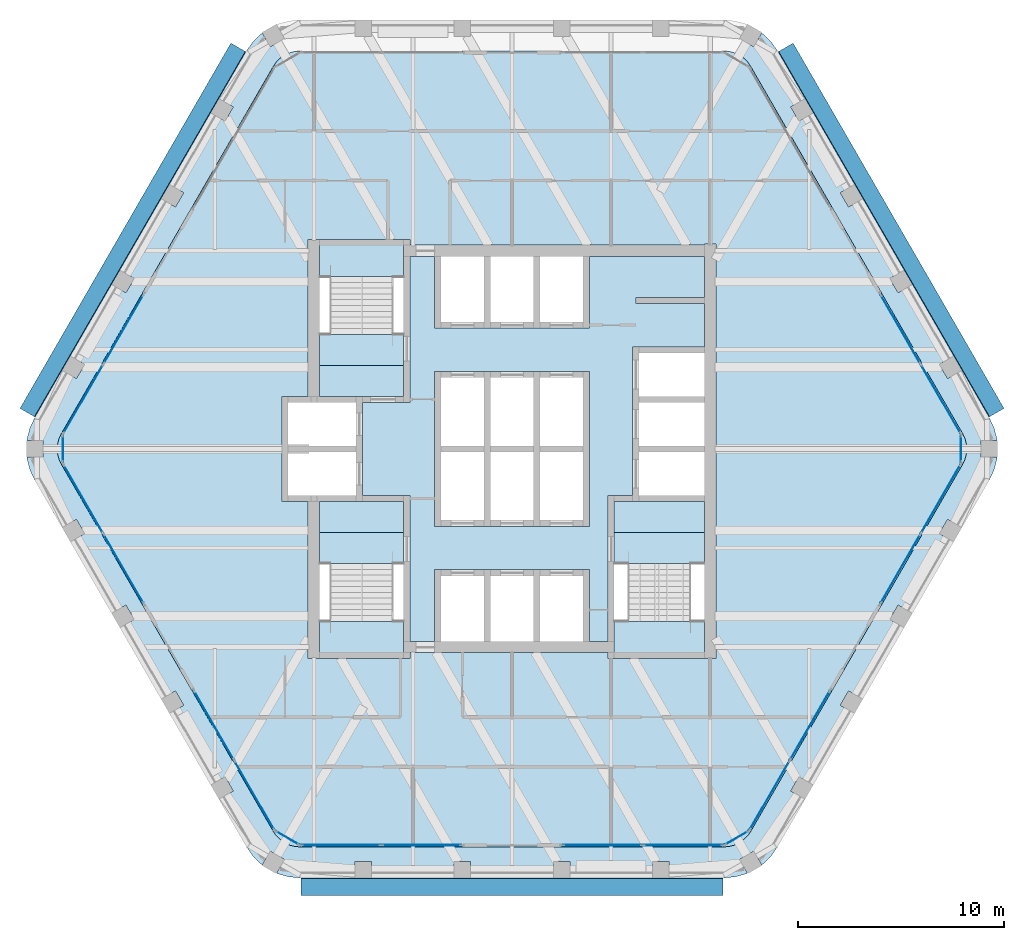
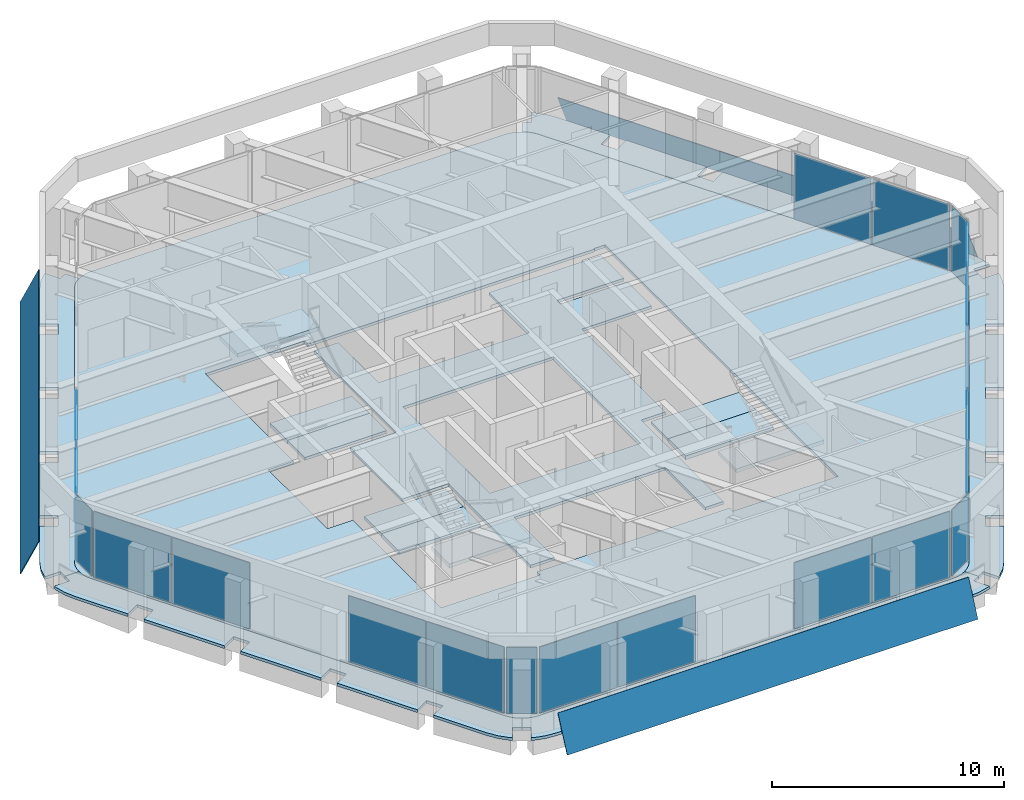
# One storey, part 6 of 14: 23 plates, 16 slabs, 15 elements without a shape of their own.
"""IFC4 building model written with IfcOpenShell, lengths in metres."""

from ifc_helpers import new_model, si_unit, direction, frame, origin, origin_2d, place, context, subcontext, project, spatial, polyline, rectangle, outline, extrude, material, layer, layer_set, type_object, element, aggregate, save


model = new_model("IFC4")

# Units and contexts
model_context = context("Model", 3, precision=1e-05, world=origin(), true_north=direction((0.0, 1.0)))
body_context = subcontext(model_context, "Body", "Model", "MODEL_VIEW")
ifc_project = project(units=[si_unit("LENGTHUNIT", "METRE"), si_unit("AREAUNIT", "SQUARE_METRE"), si_unit("VOLUMEUNIT", "CUBIC_METRE"), si_unit("PLANEANGLEUNIT", "RADIAN"), si_unit("MASSUNIT", "GRAM", prefix="KILO")], contexts=[model_context])

# Site, building, storey
site_placement = place(None, origin())
site = spatial("IfcSite", under=ifc_project, at=site_placement, CompositionType="ELEMENT")
building_placement = place(site_placement, origin())
building = spatial("IfcBuilding", under=site, at=building_placement, Name="Kolab Exchange Tower", CompositionType="ELEMENT")
storey_placement = place(building_placement, frame((0.0, 0.0, 293.0)))
storey = spatial("IfcBuildingStorey", under=building, at=storey_placement, Name="L66", CompositionType="ELEMENT", Elevation=293.0)

# Slabs
ifc_material_1 = material(Name="Concrete C35/45", Category="concrete")
ifc_layer_1 = layer(ifc_material_1, 0.14990234375)
ifc_layer_set_1 = layer_set([ifc_layer_1], Name="Concrete C35/45")
slab_type_1 = type_object("IfcSlabType", Name="FLOOR SLAB 150", PredefinedType="FLOOR", material=ifc_layer_set_1)
slab_1_placement = place(storey_placement, frame((0.0, 0.0, -0.14990234375)))
element("IfcSlab", 1, at=slab_1_placement, inside=storey, type_object=slab_type_1, Name="slab/L66/floor/0", PredefinedType="FLOOR", context=body_context, shape_type="SweptSolid", body=[
    extrude(outline(polyline([(11.56689453125, -18.53466796875), (21.8349609375, -0.75), (21.945556640625, -0.512939453125), (22.01318359375, -0.260498046875), (22.035888671875, 0.0), (22.01318359375, 0.260498046875), (21.945556640625, 0.512939453125), (21.8349609375, 0.75), (11.56689453125, 18.53466796875), (11.4169921875, 18.748779296875), (11.232177734375, 18.93359375), (11.01806640625, 19.083740234375), (10.781005859375, 19.194091796875), (10.5283203125, 19.26171875), (10.26806640625, 19.28466796875), (-10.26806640625, 19.28466796875), (-10.5283203125, 19.26171875), (-10.781005859375, 19.194091796875), (-11.01806640625, 19.083740234375), (-11.232177734375, 18.93359375), (-11.4169921875, 18.748779296875), (-11.56689453125, 18.53466796875), (-21.8349609375, 0.75), (-21.945556640625, 0.512939453125), (-22.01318359375, 0.260498046875), (-22.035888671875, 0.0), (-22.01318359375, -0.260498046875), (-21.945556640625, -0.512939453125), (-21.8349609375, -0.75), (-11.56689453125, -18.53466796875), (-11.4169921875, -18.748779296875), (-11.232177734375, -18.93359375), (-11.01806640625, -19.083740234375), (-10.781005859375, -19.194091796875), (-10.5283203125, -19.26171875), (-10.26806640625, -19.28466796875), (10.26806640625, -19.28466796875), (10.5283203125, -19.26171875), (10.781005859375, -19.194091796875), (11.01806640625, -19.083740234375), (11.232177734375, -18.93359375), (11.4169921875, -18.748779296875), (11.56689453125, -18.53466796875)]), holes=[polyline([(-9.324951171875, -10.14990234375), (-9.875, -10.14990234375), (-9.875, -2.550048828125), (-10.85009765625, -2.550048828125), (-11.14990234375, -2.550048828125), (-11.14990234375, 2.550048828125), (-10.85009765625, 2.550048828125), (-9.875, 2.550048828125), (-9.875, 10.14990234375), (-9.324951171875, 10.14990234375), (-5.25, 10.14990234375), (-4.949951171875, 10.14990234375), (-4.949951171875, 9.875), (9.324951171875, 9.875), (9.324951171875, 9.925048828125), (9.875, 9.925048828125), (9.875, -10.14990234375), (9.324951171875, -10.14990234375), (4.949951171875, -10.14990234375), (4.64990234375, -10.14990234375), (4.64990234375, -9.875), (-4.949951171875, -9.875), (-4.949951171875, -10.14990234375), (-5.25, -10.14990234375), (-9.324951171875, -10.14990234375)])]), origin(), (0.0, 0.0, 1.0), 0.14990234375),
])
slab_2_placement = place(storey_placement, frame((0.0, 0.0, -0.14990234375)))
element("IfcSlab", 2, at=slab_2_placement, inside=storey, type_object=slab_type_1, Name="slab/L66/floor/1", PredefinedType="FLOOR", context=body_context, shape_type="SweptSolid", body=[
    extrude(outline(polyline([(-4.949951171875, 9.324951171875), (-4.949951171875, 2.25), (-5.25, 2.25), (-7.25, 2.25), (-7.25, -2.25), (-5.25, -2.25), (-4.949951171875, -2.25), (-4.949951171875, -9.324951171875), (-3.75, -9.324951171875), (-3.75, -5.85009765625), (-3.449951171875, -5.85009765625), (-1.35009765625, -5.85009765625), (-1.050048828125, -5.85009765625), (1.050048828125, -5.85009765625), (1.35009765625, -5.85009765625), (3.449951171875, -5.85009765625), (3.75, -5.85009765625), (3.75, -9.324951171875), (4.64990234375, -9.324951171875), (4.64990234375, -2.25), (4.949951171875, -2.25), (5.85009765625, -2.25), (5.85009765625, 4.949951171875), (6.14990234375, 4.949951171875), (9.324951171875, 4.949951171875), (9.324951171875, 7.050048828125), (6.0, 7.050048828125), (6.0, 7.35009765625), (9.324951171875, 7.35009765625), (9.324951171875, 9.324951171875), (3.75, 9.324951171875), (3.75, 5.85009765625), (3.449951171875, 5.85009765625), (1.35009765625, 5.85009765625), (1.050048828125, 5.85009765625), (-1.050048828125, 5.85009765625), (-1.35009765625, 5.85009765625), (-3.449951171875, 5.85009765625), (-3.75, 5.85009765625), (-3.75, 9.324951171875), (-4.949951171875, 9.324951171875)]), holes=[polyline([(-3.449951171875, -3.75), (-3.75, -3.75), (-3.75, 3.75), (-3.449951171875, 3.75), (-1.35009765625, 3.75), (-1.050048828125, 3.75), (1.050048828125, 3.75), (1.35009765625, 3.75), (3.449951171875, 3.75), (3.75, 3.75), (3.75, -3.75), (3.449951171875, -3.75), (1.35009765625, -3.75), (1.050048828125, -3.75), (-1.050048828125, -3.75), (-1.35009765625, -3.75), (-3.449951171875, -3.75)])]), origin(), (0.0, 0.0, 1.0), 0.14990234375),
])
slab_3_placement = place(storey_placement, frame((0.0, 0.0, -0.14990234375)))
element("IfcSlab", 3, at=slab_3_placement, inside=storey, type_object=slab_type_1, Name="slab/L66/floor/2", PredefinedType="FLOOR", context=body_context, shape_type="SweptSolid", body=[
    extrude(outline(polyline([(4.949951171875, -2.550048828125), (4.949951171875, -4.050048828125), (9.324951171875, -4.050048828125), (9.324951171875, -2.550048828125), (6.14990234375, -2.550048828125), (5.85009765625, -2.550048828125), (4.949951171875, -2.550048828125)])), origin(), (0.0, 0.0, 1.0), 0.14990234375),
])
slab_4_placement = place(storey_placement, frame((0.0, 0.0, -0.14990234375)))
element("IfcSlab", 4, at=slab_4_placement, inside=storey, type_object=slab_type_1, Name="slab/L66/floor/3", PredefinedType="FLOOR", context=body_context, shape_type="SweptSolid", body=[
    extrude(outline(polyline([(-7.550048828125, -2.550048828125), (-9.324951171875, -2.550048828125), (-9.324951171875, -4.050048828125), (-5.25, -4.050048828125), (-5.25, -2.550048828125), (-7.25, -2.550048828125), (-7.550048828125, -2.550048828125)])), origin(), (0.0, 0.0, 1.0), 0.14990234375),
])
slab_5_placement = place(storey_placement, frame((0.0, 0.0, -0.14990234375)))
element("IfcSlab", 5, at=slab_5_placement, inside=storey, type_object=slab_type_1, Name="slab/L66/floor/4", PredefinedType="FLOOR", context=body_context, shape_type="SweptSolid", body=[
    extrude(outline(polyline([(-9.324951171875, 4.050048828125), (-9.324951171875, 2.550048828125), (-7.550048828125, 2.550048828125), (-7.25, 2.550048828125), (-5.25, 2.550048828125), (-5.25, 4.050048828125), (-9.324951171875, 4.050048828125)])), origin(), (0.0, 0.0, 1.0), 0.14990234375),
])
ifc_layer_2 = layer(ifc_material_1, 0.14990234375)
ifc_layer_set_2 = layer_set([ifc_layer_2], Name="Concrete C35/45")
slab_type_2 = type_object("IfcSlabType", Name="LOGGIA SLAB 150", PredefinedType="FLOOR", material=ifc_layer_set_2)
slab_6_placement = place(storey_placement, frame((0.0, 0.0, -0.14990234375)))
element("IfcSlab", 6, at=slab_6_placement, inside=storey, type_object=slab_type_2, Name="slab/L66/loggia/1-0", PredefinedType="FLOOR", context=body_context, shape_type="SweptSolid", body=[
    extrude(outline(polyline([(22.035888671875, 0.0), (22.73583984375, 0.0), (22.73583984375, 0.39990234375), (23.5009765625, 0.39990234375), (23.490234375, 0.52099609375), (23.35498046875, 1.026123046875), (23.134033203125, 1.5), (21.800048828125, 3.810546875), (21.107177734375, 3.410400390625), (20.707275390625, 4.103271484375), (21.39990234375, 4.50341796875), (19.39990234375, 7.967529296875), (18.707275390625, 7.5673828125), (18.30712890625, 8.26025390625), (19.0, 8.66015625), (17.0, 12.124267578125), (16.30712890625, 11.724365234375), (15.9072265625, 12.417236328125), (16.60009765625, 12.817138671875), (14.60009765625, 16.28125), (13.9072265625, 15.88134765625), (13.507080078125, 16.57421875), (14.199951171875, 16.97412109375), (12.865966796875, 19.28466796875), (12.566162109375, 19.712890625), (12.1962890625, 20.082763671875), (12.096923828125, 20.15234375), (11.71435546875, 19.48974609375), (11.367919921875, 19.68994140625), (11.01806640625, 19.083740234375), (11.232177734375, 18.93359375), (11.4169921875, 18.748779296875), (11.56689453125, 18.53466796875), (21.8349609375, 0.75), (21.945556640625, 0.512939453125), (22.01318359375, 0.260498046875), (22.035888671875, 0.0)])), origin(), (0.0, 0.0, 1.0), 0.14990234375),
])
slab_7_placement = place(storey_placement, frame((0.0, 0.0, -0.14990234375)))
element("IfcSlab", 7, at=slab_7_placement, inside=storey, type_object=slab_type_2, Name="slab/L66/loggia/2-0", PredefinedType="FLOOR", context=body_context, shape_type="SweptSolid", body=[
    extrude(outline(polyline([(12.865966796875, -19.28466796875), (14.199951171875, -16.97412109375), (13.507080078125, -16.57421875), (13.9072265625, -15.88134765625), (14.60009765625, -16.28125), (16.60009765625, -12.817138671875), (15.9072265625, -12.417236328125), (16.30712890625, -11.724365234375), (17.0, -12.124267578125), (19.0, -8.66015625), (18.30712890625, -8.26025390625), (18.707275390625, -7.5673828125), (19.39990234375, -7.967529296875), (21.39990234375, -4.50341796875), (20.707275390625, -4.103271484375), (21.107177734375, -3.410400390625), (21.800048828125, -3.810546875), (23.134033203125, -1.5), (23.35498046875, -1.026123046875), (23.490234375, -0.52099609375), (23.5009765625, -0.39990234375), (22.73583984375, -0.39990234375), (22.73583984375, 0.0), (22.035888671875, 0.0), (22.01318359375, -0.260498046875), (21.945556640625, -0.512939453125), (21.8349609375, -0.75), (11.56689453125, -18.53466796875), (11.4169921875, -18.748779296875), (11.232177734375, -18.93359375), (11.01806640625, -19.083740234375), (11.367919921875, -19.68994140625), (11.71435546875, -19.48974609375), (12.096923828125, -20.15234375), (12.1962890625, -20.082763671875), (12.566162109375, -19.712890625), (12.865966796875, -19.28466796875)])), origin(), (0.0, 0.0, 1.0), 0.14990234375),
])
slab_8_placement = place(storey_placement, frame((0.0, 0.0, -0.14990234375)))
element("IfcSlab", 8, at=slab_8_placement, inside=storey, type_object=slab_type_2, Name="slab/L66/loggia/3-0", PredefinedType="FLOOR", context=body_context, shape_type="SweptSolid", body=[
    extrude(outline(polyline([(-11.01806640625, -19.083740234375), (-11.367919921875, -19.68994140625), (-11.021484375, -19.889892578125), (-11.404052734375, -20.552490234375), (-11.2939453125, -20.603759765625), (-10.788818359375, -20.739013671875), (-10.26806640625, -20.78466796875), (-7.60009765625, -20.78466796875), (-7.60009765625, -19.984619140625), (-6.800048828125, -19.984619140625), (-6.800048828125, -20.78466796875), (-2.800048828125, -20.78466796875), (-2.800048828125, -19.984619140625), (-2.0, -19.984619140625), (-2.0, -20.78466796875), (2.0, -20.78466796875), (2.0, -19.984619140625), (2.800048828125, -19.984619140625), (2.800048828125, -20.78466796875), (6.800048828125, -20.78466796875), (6.800048828125, -19.984619140625), (7.60009765625, -19.984619140625), (7.60009765625, -20.78466796875), (10.26806640625, -20.78466796875), (10.788818359375, -20.739013671875), (11.2939453125, -20.603759765625), (11.404052734375, -20.552490234375), (11.021484375, -19.889892578125), (11.367919921875, -19.68994140625), (11.01806640625, -19.083740234375), (10.781005859375, -19.194091796875), (10.5283203125, -19.26171875), (10.26806640625, -19.28466796875), (-10.26806640625, -19.28466796875), (-10.5283203125, -19.26171875), (-10.781005859375, -19.194091796875), (-11.01806640625, -19.083740234375)])), origin(), (0.0, 0.0, 1.0), 0.14990234375),
])
slab_9_placement = place(storey_placement, frame((0.0, 0.0, -0.14990234375)))
element("IfcSlab", 9, at=slab_9_placement, inside=storey, type_object=slab_type_2, Name="slab/L66/loggia/4-0", PredefinedType="FLOOR", context=body_context, shape_type="SweptSolid", body=[
    extrude(outline(polyline([(-22.035888671875, 0.0), (-22.73583984375, 0.0), (-22.73583984375, -0.39990234375), (-23.5009765625, -0.39990234375), (-23.490234375, -0.52099609375), (-23.35498046875, -1.026123046875), (-23.134033203125, -1.5), (-21.800048828125, -3.810546875), (-21.107177734375, -3.410400390625), (-20.707275390625, -4.103271484375), (-21.39990234375, -4.50341796875), (-19.39990234375, -7.967529296875), (-18.707275390625, -7.5673828125), (-18.30712890625, -8.26025390625), (-19.0, -8.66015625), (-17.0, -12.124267578125), (-16.30712890625, -11.724365234375), (-15.9072265625, -12.417236328125), (-16.60009765625, -12.817138671875), (-14.60009765625, -16.28125), (-13.9072265625, -15.88134765625), (-13.507080078125, -16.57421875), (-14.199951171875, -16.97412109375), (-12.865966796875, -19.28466796875), (-12.566162109375, -19.712890625), (-12.1962890625, -20.082763671875), (-12.096923828125, -20.15234375), (-11.71435546875, -19.48974609375), (-11.367919921875, -19.68994140625), (-11.01806640625, -19.083740234375), (-11.232177734375, -18.93359375), (-11.4169921875, -18.748779296875), (-11.56689453125, -18.53466796875), (-21.8349609375, -0.75), (-21.945556640625, -0.512939453125), (-22.01318359375, -0.260498046875), (-22.035888671875, 0.0)])), origin(), (0.0, 0.0, 1.0), 0.14990234375),
])
slab_10_placement = place(storey_placement, frame((0.0, 0.0, -0.14990234375)))
element("IfcSlab", 10, at=slab_10_placement, inside=storey, type_object=slab_type_2, Name="slab/L66/loggia/5-0", PredefinedType="FLOOR", context=body_context, shape_type="SweptSolid", body=[
    extrude(outline(polyline([(-11.01806640625, 19.083740234375), (-11.367919921875, 19.68994140625), (-11.71435546875, 19.48974609375), (-12.096923828125, 20.15234375), (-12.1962890625, 20.082763671875), (-12.566162109375, 19.712890625), (-12.865966796875, 19.28466796875), (-14.199951171875, 16.97412109375), (-13.507080078125, 16.57421875), (-13.9072265625, 15.88134765625), (-14.60009765625, 16.28125), (-16.60009765625, 12.817138671875), (-15.9072265625, 12.417236328125), (-16.30712890625, 11.724365234375), (-17.0, 12.124267578125), (-19.0, 8.66015625), (-18.30712890625, 8.26025390625), (-18.707275390625, 7.5673828125), (-19.39990234375, 7.967529296875), (-21.39990234375, 4.50341796875), (-20.707275390625, 4.103271484375), (-21.107177734375, 3.410400390625), (-21.800048828125, 3.810546875), (-23.134033203125, 1.5), (-23.35498046875, 1.026123046875), (-23.490234375, 0.52099609375), (-23.5009765625, 0.39990234375), (-22.73583984375, 0.39990234375), (-22.73583984375, 0.0), (-22.035888671875, 0.0), (-22.01318359375, 0.260498046875), (-21.945556640625, 0.512939453125), (-21.8349609375, 0.75), (-11.56689453125, 18.53466796875), (-11.4169921875, 18.748779296875), (-11.232177734375, 18.93359375), (-11.01806640625, 19.083740234375)])), origin(), (0.0, 0.0, 1.0), 0.14990234375),
])

# Plates
ifc_material_2 = material(Name="Laminated glass, clear", Category="glass")
ifc_layer_3 = layer(ifc_material_2, 0.0400390625)
ifc_layer_set_3 = layer_set([ifc_layer_3], Name="Laminated glass, clear")
plate_type_1 = type_object("IfcPlateType", Name="OUTER SKIN LAMINATED GLASS SHEET 40", PredefinedType="SHEET", material=ifc_layer_set_3)
plate_1_placement = place(storey_placement, frame((13.6220703125, 19.663330078125, -0.68310546875), z_axis=(0.784879507028, 0.45315366056, 0.422629766306), x_axis=(0.500002702652, -0.866023843402, 0.0)))
element("IfcPlate", 11, at=plate_1_placement, inside=storey, type_object=plate_type_1, Name="Outer skin", PredefinedType="SHEET", context=body_context, shape_type="SweptSolid", body=[
    extrude(outline(polyline([(0.0, 0.0), (20.435924693883145, 0.0), (20.435777157552074, -1.9115273582082444), (-0.00014753633106806552, -1.911527358208244), (0.0, 0.0)])), origin(), (0.0, 0.0, -1.0), 0.0400390625),
])
plate_2_placement = place(storey_placement, frame((10.218017578125, -21.628662109375, -0.68310546875), z_axis=(0.0, -0.906303831457, 0.422626744404), x_axis=(-1.0, 0.0, 0.0)))
element("IfcPlate", 12, at=plate_2_placement, inside=storey, type_object=plate_type_1, Name="Outer skin", PredefinedType="SHEET", context=body_context, shape_type="SweptSolid", body=[
    extrude(outline(polyline([(0.0, 0.0), (20.43603515625, 0.0), (20.43603515625, -1.9115243860485809), (0.0, -1.9115243860485809), (0.0, 0.0)])), origin(), (0.0, 0.0, -1.0), 0.0400390625),
])
plate_3_placement = place(storey_placement, frame((-23.840087890625, 1.96533203125, -0.68310546875), z_axis=(-0.784879507028, 0.45315366056, 0.422629766306), x_axis=(0.500002702652, 0.866023843402, 0.0)))
element("IfcPlate", 13, at=plate_3_placement, inside=storey, type_object=plate_type_1, Name="Outer skin", PredefinedType="SHEET", context=body_context, shape_type="SweptSolid", body=[
    extrude(outline(polyline([(0.0, 0.0), (20.435924693883145, 0.0), (20.43607223021421, -1.911527358208244), (0.00014753633106806552, -1.911527358208244), (0.0, 0.0)])), origin(), (0.0, 0.0, -1.0), 0.0400390625),
])

# Stair, slabs
ifc_material_3 = material(Name="Concrete C50/60", Category="concrete")
stair_type_1 = type_object("IfcStairType", Name="STAIR ST1 RISER 177.3", PredefinedType="HALF_TURN_STAIR", material=ifc_material_3)
stair_1_placement = place(storey_placement, origin())
stair_1 = element("IfcStair", 14, at=stair_1_placement, inside=storey, type_object=stair_type_1, Name="Stair 1", PredefinedType="HALF_TURN_STAIR")
ifc_layer_4 = layer(ifc_material_3, 0.199951171875)
ifc_layer_set_4 = layer_set([ifc_layer_4], Name="Concrete C50/60")
slab_type_3 = type_object("IfcSlabType", Name="STAIR LANDING 200", PredefinedType="LANDING", material=ifc_layer_set_4)
slab_11_placement = place(storey_placement, frame((0.0, 0.0, -0.199951171875)))
slab_11 = element("IfcSlab", 15, at=slab_11_placement, type_object=slab_type_3, Name="ST1 landing 1", PredefinedType="LANDING", context=body_context, shape_type="SweptSolid", body=[
    extrude(outline(polyline([(-9.324951171875, 4.050048828125), (-5.25, 4.050048828125), (-5.25, 5.550048828125), (-9.324951171875, 5.550048828125), (-9.324951171875, 4.050048828125)])), origin(), (0.0, 0.0, 1.0), 0.199951171875),
])
slab_12_placement = place(storey_placement, frame((0.0, 0.0, 1.75)))
slab_12 = element("IfcSlab", 16, at=slab_12_placement, type_object=slab_type_3, Name="ST1 landing 2", PredefinedType="LANDING", context=body_context, shape_type="SweptSolid", body=[
    extrude(outline(polyline([(-9.324951171875, 8.35009765625), (-5.25, 8.35009765625), (-5.25, 9.909912109375), (-9.324951171875, 9.909912109375), (-9.324951171875, 8.35009765625)])), origin(), (0.0, 0.0, 1.0), 0.199951171875),
])
aggregate(stair_1, [slab_11, slab_12])

stair_type_2 = type_object("IfcStairType", Name="STAIR ST3 RISER 177.3", PredefinedType="HALF_TURN_STAIR", material=ifc_material_3)
stair_2_placement = place(storey_placement, origin())
stair_2 = element("IfcStair", 17, at=stair_2_placement, inside=storey, type_object=stair_type_2, Name="Stair 3", PredefinedType="HALF_TURN_STAIR")
slab_13_placement = place(storey_placement, frame((0.0, 0.0, -0.199951171875)))
slab_13 = element("IfcSlab", 18, at=slab_13_placement, type_object=slab_type_3, Name="ST3 landing 1", PredefinedType="LANDING", context=body_context, shape_type="SweptSolid", body=[
    extrude(outline(polyline([(-9.324951171875, -5.550048828125), (-5.25, -5.550048828125), (-5.25, -4.050048828125), (-9.324951171875, -4.050048828125), (-9.324951171875, -5.550048828125)])), origin(), (0.0, 0.0, 1.0), 0.199951171875),
])
slab_14_placement = place(storey_placement, frame((0.0, 0.0, 1.75)))
slab_14 = element("IfcSlab", 19, at=slab_14_placement, type_object=slab_type_3, Name="ST3 landing 2", PredefinedType="LANDING", context=body_context, shape_type="SweptSolid", body=[
    extrude(outline(polyline([(-9.324951171875, -9.909912109375), (-5.25, -9.909912109375), (-5.25, -8.35009765625), (-9.324951171875, -8.35009765625), (-9.324951171875, -9.909912109375)])), origin(), (0.0, 0.0, 1.0), 0.199951171875),
])
aggregate(stair_2, [slab_13, slab_14])

stair_type_3 = type_object("IfcStairType", Name="STAIR ST2 RISER 177.3", PredefinedType="HALF_TURN_STAIR", material=ifc_material_3)
stair_3_placement = place(storey_placement, origin())
stair_3 = element("IfcStair", 20, at=stair_3_placement, inside=storey, type_object=stair_type_3, Name="Stair 2", PredefinedType="HALF_TURN_STAIR")
slab_15_placement = place(storey_placement, frame((0.0, 0.0, -0.199951171875)))
slab_15 = element("IfcSlab", 21, at=slab_15_placement, type_object=slab_type_3, Name="ST2 landing 1", PredefinedType="LANDING", context=body_context, shape_type="SweptSolid", body=[
    extrude(outline(polyline([(4.949951171875, -5.550048828125), (9.324951171875, -5.550048828125), (9.324951171875, -4.050048828125), (4.949951171875, -4.050048828125), (4.949951171875, -5.550048828125)])), origin(), (0.0, 0.0, 1.0), 0.199951171875),
])
slab_16_placement = place(storey_placement, frame((0.0, 0.0, 1.75)))
slab_16 = element("IfcSlab", 22, at=slab_16_placement, type_object=slab_type_3, Name="ST2 landing 2", PredefinedType="LANDING", context=body_context, shape_type="SweptSolid", body=[
    extrude(outline(polyline([(4.949951171875, -9.909912109375), (9.324951171875, -9.909912109375), (9.324951171875, -8.35009765625), (4.949951171875, -8.35009765625), (4.949951171875, -9.909912109375)])), origin(), (0.0, 0.0, 1.0), 0.199951171875),
])
aggregate(stair_3, [slab_15, slab_16])

# Curtain wall, plates
ifc_material_4 = material(Name="Aluminium EN AW-6063 T6", Category="aluminium")
curtain_wall_type = type_object("IfcCurtainWallType", Name="UNITISED HIGH ZONE CURTAIN WALL", PredefinedType="NOTDEFINED", material=ifc_material_4)
curtain_wall_1_placement = place(storey_placement, origin())
curtain_wall_1 = element("IfcCurtainWall", 23, at=curtain_wall_1_placement, inside=storey, type_object=curtain_wall_type, Name="cw/L66/F2-2", PredefinedType="NOTDEFINED")
ifc_material_5 = material(Name="Clear insulated glazing unit", Category="glass")
ifc_layer_5 = layer(ifc_material_5, 0.030029296875)
ifc_layer_set_5 = layer_set([ifc_layer_5], Name="Clear insulated glazing unit")
plate_type_2 = type_object("IfcPlateType", Name="UNITISED HIGH ZONE GLASS PANEL 30", PredefinedType="CURTAIN_PANEL", material=ifc_layer_set_5)
plate_4_placement = place(storey_placement, frame((18.82275390625, 5.807373046875, 0.06005859375), z_axis=(0.0, 0.0, 1.0), x_axis=(0.499999936366, -0.866025440524, 0.0)))
plate_4 = element("IfcPlate", 24, at=plate_4_placement, type_object=plate_type_2, Name="CW4 panel 1.1", PredefinedType="CURTAIN_PANEL", context=body_context, shape_type="SweptSolid", body=[
    extrude(rectangle(XDim=3.843994140625, YDim=0.030029296875, at=origin_2d()), origin(), (0.0, 0.0, 1.0), 3.47998046875),
])
plate_5_placement = place(storey_placement, frame((20.774658203125, 2.426513671875, 0.06005859375), z_axis=(0.0, 0.0, 1.0), x_axis=(0.499999936366, -0.866025440524, 0.0)))
plate_5 = element("IfcPlate", 25, at=plate_5_placement, type_object=plate_type_2, Name="CW4 panel 2.1", PredefinedType="CURTAIN_PANEL", context=body_context, shape_type="SweptSolid", body=[
    extrude(rectangle(XDim=3.843994140625, YDim=0.030029296875, at=origin_2d()), origin(), (0.0, 0.0, 1.0), 3.47998046875),
])
aggregate(curtain_wall_1, [plate_4, plate_5])

curtain_wall_2_placement = place(storey_placement, origin())
curtain_wall_2 = element("IfcCurtainWall", 26, at=curtain_wall_2_placement, inside=storey, type_object=curtain_wall_type, Name="cw/L66/F3-1", PredefinedType="NOTDEFINED")
plate_6_placement = place(storey_placement, frame((20.774658203125, -2.426513671875, 0.06005859375), z_axis=(0.0, 0.0, 1.0), x_axis=(-0.499999936366, -0.866025440524, 0.0)))
plate_6 = element("IfcPlate", 27, at=plate_6_placement, type_object=plate_type_2, Name="CW4 panel 1.1", PredefinedType="CURTAIN_PANEL", context=body_context, shape_type="SweptSolid", body=[
    extrude(rectangle(XDim=3.843994140625, YDim=0.030029296875, at=origin_2d()), origin(), (0.0, 0.0, 1.0), 3.47998046875),
])
plate_7_placement = place(storey_placement, frame((18.82275390625, -5.807373046875, 0.06005859375), z_axis=(0.0, 0.0, 1.0), x_axis=(-0.499999936366, -0.866025440524, 0.0)))
plate_7 = element("IfcPlate", 28, at=plate_7_placement, type_object=plate_type_2, Name="CW4 panel 2.1", PredefinedType="CURTAIN_PANEL", context=body_context, shape_type="SweptSolid", body=[
    extrude(rectangle(XDim=3.843994140625, YDim=0.030029296875, at=origin_2d()), origin(), (0.0, 0.0, 1.0), 3.47998046875),
])
aggregate(curtain_wall_2, [plate_6, plate_7])

curtain_wall_3_placement = place(storey_placement, origin())
curtain_wall_3 = element("IfcCurtainWall", 29, at=curtain_wall_3_placement, inside=storey, type_object=curtain_wall_type, Name="cw/L66/F3-2", PredefinedType="NOTDEFINED")
plate_8_placement = place(storey_placement, frame((14.440673828125, -13.397216796875, 0.06005859375), z_axis=(0.0, 0.0, 1.0), x_axis=(-0.500000031681, -0.866025385493, 0.0)))
plate_8 = element("IfcPlate", 30, at=plate_8_placement, type_object=plate_type_2, Name="CW4 panel 1.1", PredefinedType="CURTAIN_PANEL", context=body_context, shape_type="SweptSolid", body=[
    extrude(rectangle(XDim=3.843994140625, YDim=0.030029296875, at=origin_2d()), origin(), (0.0, 0.0, 1.0), 3.47998046875),
])
plate_9_placement = place(storey_placement, frame((12.48876953125, -16.778076171875, 0.06005859375), z_axis=(0.0, 0.0, 1.0), x_axis=(-0.500000031681, -0.866025385493, 0.0)))
plate_9 = element("IfcPlate", 31, at=plate_9_placement, type_object=plate_type_2, Name="CW4 panel 2.1", PredefinedType="CURTAIN_PANEL", context=body_context, shape_type="SweptSolid", body=[
    extrude(rectangle(XDim=3.843994140625, YDim=0.030029296875, at=origin_2d()), origin(), (0.0, 0.0, 1.0), 3.47998046875),
])
aggregate(curtain_wall_3, [plate_8, plate_9])

curtain_wall_4_placement = place(storey_placement, origin())
curtain_wall_4 = element("IfcCurtainWall", 32, at=curtain_wall_4_placement, inside=storey, type_object=curtain_wall_type, Name="cw/L66/F4-1", PredefinedType="NOTDEFINED")
plate_10_placement = place(storey_placement, frame((8.285888671875, -19.20458984375, 0.06005859375), z_axis=(0.0, 0.0, 1.0), x_axis=(-1.0, 0.0, 0.0)))
plate_10 = element("IfcPlate", 33, at=plate_10_placement, type_object=plate_type_2, Name="CW4 panel 1.1", PredefinedType="CURTAIN_PANEL", context=body_context, shape_type="SweptSolid", body=[
    extrude(rectangle(XDim=3.843994140625, YDim=0.030029296875, at=origin_2d()), origin(), (0.0, 0.0, 1.0), 3.47998046875),
])
plate_11_placement = place(storey_placement, frame((4.382080078125, -19.20458984375, 0.06005859375), z_axis=(0.0, 0.0, 1.0), x_axis=(-1.0, 0.0, 0.0)))
plate_11 = element("IfcPlate", 34, at=plate_11_placement, type_object=plate_type_2, Name="CW4 panel 2.1", PredefinedType="CURTAIN_PANEL", context=body_context, shape_type="SweptSolid", body=[
    extrude(rectangle(XDim=3.843994140625, YDim=0.030029296875, at=origin_2d()), origin(), (0.0, 0.0, 1.0), 3.47998046875),
])
aggregate(curtain_wall_4, [plate_10, plate_11])

curtain_wall_5_placement = place(storey_placement, origin())
curtain_wall_5 = element("IfcCurtainWall", 35, at=curtain_wall_5_placement, inside=storey, type_object=curtain_wall_type, Name="cw/L66/F4-2", PredefinedType="NOTDEFINED")
plate_12_placement = place(storey_placement, frame((-4.382080078125, -19.20458984375, 0.06005859375), z_axis=(0.0, 0.0, 1.0), x_axis=(-1.0, 0.0, 0.0)))
plate_12 = element("IfcPlate", 36, at=plate_12_placement, type_object=plate_type_2, Name="CW4 panel 1.1", PredefinedType="CURTAIN_PANEL", context=body_context, shape_type="SweptSolid", body=[
    extrude(rectangle(XDim=3.843994140625, YDim=0.030029296875, at=origin_2d()), origin(), (0.0, 0.0, 1.0), 3.47998046875),
])
plate_13_placement = place(storey_placement, frame((-8.285888671875, -19.20458984375, 0.06005859375), z_axis=(0.0, 0.0, 1.0), x_axis=(-1.0, 0.0, 0.0)))
plate_13 = element("IfcPlate", 37, at=plate_13_placement, type_object=plate_type_2, Name="CW4 panel 2.1", PredefinedType="CURTAIN_PANEL", context=body_context, shape_type="SweptSolid", body=[
    extrude(rectangle(XDim=3.843994140625, YDim=0.030029296875, at=origin_2d()), origin(), (0.0, 0.0, 1.0), 3.47998046875),
])
aggregate(curtain_wall_5, [plate_12, plate_13])

curtain_wall_6_placement = place(storey_placement, origin())
curtain_wall_6 = element("IfcCurtainWall", 38, at=curtain_wall_6_placement, inside=storey, type_object=curtain_wall_type, Name="cw/L66/F5-1", PredefinedType="NOTDEFINED")
plate_14_placement = place(storey_placement, frame((-12.48876953125, -16.778076171875, 0.06005859375), z_axis=(0.0, 0.0, 1.0), x_axis=(-0.500000031681, 0.866025385493, 0.0)))
plate_14 = element("IfcPlate", 39, at=plate_14_placement, type_object=plate_type_2, Name="CW4 panel 1.1", PredefinedType="CURTAIN_PANEL", context=body_context, shape_type="SweptSolid", body=[
    extrude(rectangle(XDim=3.843994140625, YDim=0.030029296875, at=origin_2d()), origin(), (0.0, 0.0, 1.0), 3.47998046875),
])
plate_15_placement = place(storey_placement, frame((-14.440673828125, -13.397216796875, 0.06005859375), z_axis=(0.0, 0.0, 1.0), x_axis=(-0.500000031681, 0.866025385493, 0.0)))
plate_15 = element("IfcPlate", 40, at=plate_15_placement, type_object=plate_type_2, Name="CW4 panel 2.1", PredefinedType="CURTAIN_PANEL", context=body_context, shape_type="SweptSolid", body=[
    extrude(rectangle(XDim=3.843994140625, YDim=0.030029296875, at=origin_2d()), origin(), (0.0, 0.0, 1.0), 3.47998046875),
])
aggregate(curtain_wall_6, [plate_14, plate_15])

curtain_wall_7_placement = place(storey_placement, origin())
curtain_wall_7 = element("IfcCurtainWall", 41, at=curtain_wall_7_placement, inside=storey, type_object=curtain_wall_type, Name="cw/L66/F5-2", PredefinedType="NOTDEFINED")
plate_16_placement = place(storey_placement, frame((-18.82275390625, -5.807373046875, 0.06005859375), z_axis=(0.0, 0.0, 1.0), x_axis=(-0.499999936366, 0.866025440524, 0.0)))
plate_16 = element("IfcPlate", 42, at=plate_16_placement, type_object=plate_type_2, Name="CW4 panel 1.1", PredefinedType="CURTAIN_PANEL", context=body_context, shape_type="SweptSolid", body=[
    extrude(rectangle(XDim=3.843994140625, YDim=0.030029296875, at=origin_2d()), origin(), (0.0, 0.0, 1.0), 3.47998046875),
])
plate_17_placement = place(storey_placement, frame((-20.774658203125, -2.426513671875, 0.06005859375), z_axis=(0.0, 0.0, 1.0), x_axis=(-0.499999936366, 0.866025440524, 0.0)))
plate_17 = element("IfcPlate", 43, at=plate_17_placement, type_object=plate_type_2, Name="CW4 panel 2.1", PredefinedType="CURTAIN_PANEL", context=body_context, shape_type="SweptSolid", body=[
    extrude(rectangle(XDim=3.843994140625, YDim=0.030029296875, at=origin_2d()), origin(), (0.0, 0.0, 1.0), 3.47998046875),
])
aggregate(curtain_wall_7, [plate_16, plate_17])

curtain_wall_8_placement = place(storey_placement, origin())
curtain_wall_8 = element("IfcCurtainWall", 44, at=curtain_wall_8_placement, inside=storey, type_object=curtain_wall_type, Name="cw/L66/F6-1", PredefinedType="NOTDEFINED")
plate_18_placement = place(storey_placement, frame((-20.774658203125, 2.426513671875, 0.06005859375), z_axis=(0.0, 0.0, 1.0), x_axis=(0.499999936366, 0.866025440524, 0.0)))
plate_18 = element("IfcPlate", 45, at=plate_18_placement, type_object=plate_type_2, Name="CW4 panel 1.1", PredefinedType="CURTAIN_PANEL", context=body_context, shape_type="SweptSolid", body=[
    extrude(rectangle(XDim=3.843994140625, YDim=0.030029296875, at=origin_2d()), origin(), (0.0, 0.0, 1.0), 3.47998046875),
])
plate_19_placement = place(storey_placement, frame((-18.82275390625, 5.807373046875, 0.06005859375), z_axis=(0.0, 0.0, 1.0), x_axis=(0.499999936366, 0.866025440524, 0.0)))
plate_19 = element("IfcPlate", 46, at=plate_19_placement, type_object=plate_type_2, Name="CW4 panel 2.1", PredefinedType="CURTAIN_PANEL", context=body_context, shape_type="SweptSolid", body=[
    extrude(rectangle(XDim=3.843994140625, YDim=0.030029296875, at=origin_2d()), origin(), (0.0, 0.0, 1.0), 3.47998046875),
])
aggregate(curtain_wall_8, [plate_18, plate_19])

# Curtain wall, plate
curtain_wall_9_placement = place(storey_placement, origin())
curtain_wall_9 = element("IfcCurtainWall", 47, at=curtain_wall_9_placement, inside=storey, type_object=curtain_wall_type, Name="cw/L66/F2F3-corner", PredefinedType="NOTDEFINED")
plate_20_placement = place(storey_placement, frame((21.765625, 0.0, 0.06005859375), z_axis=(0.0, 0.0, 1.0), x_axis=(0.0, -1.0, 0.0)))
plate_20 = element("IfcPlate", 48, at=plate_20_placement, type_object=plate_type_2, Name="CW4 panel 1.1", PredefinedType="CURTAIN_PANEL", context=body_context, shape_type="SweptSolid", body=[
    extrude(rectangle(XDim=1.300048828125, YDim=0.030029296875, at=origin_2d()), origin(), (0.0, 0.0, 1.0), 3.47998046875),
])
aggregate(curtain_wall_9, [plate_20])

curtain_wall_10_placement = place(storey_placement, origin())
curtain_wall_10 = element("IfcCurtainWall", 49, at=curtain_wall_10_placement, inside=storey, type_object=curtain_wall_type, Name="cw/L66/F3F4-corner", PredefinedType="NOTDEFINED")
plate_21_placement = place(storey_placement, frame((10.8828125, -18.849609375, 0.06005859375), z_axis=(0.0, 0.0, 1.0), x_axis=(-0.866025390869, -0.50000002237, 0.0)))
plate_21 = element("IfcPlate", 50, at=plate_21_placement, type_object=plate_type_2, Name="CW4 panel 1.1", PredefinedType="CURTAIN_PANEL", context=body_context, shape_type="SweptSolid", body=[
    extrude(rectangle(XDim=1.300048828125, YDim=0.030029296875, at=origin_2d()), origin(), (0.0, 0.0, 1.0), 3.47998046875),
])
aggregate(curtain_wall_10, [plate_21])

curtain_wall_11_placement = place(storey_placement, origin())
curtain_wall_11 = element("IfcCurtainWall", 51, at=curtain_wall_11_placement, inside=storey, type_object=curtain_wall_type, Name="cw/L66/F4F5-corner", PredefinedType="NOTDEFINED")
plate_22_placement = place(storey_placement, frame((-10.8828125, -18.849609375, 0.06005859375), z_axis=(0.0, 0.0, 1.0), x_axis=(-0.866025390869, 0.50000002237, 0.0)))
plate_22 = element("IfcPlate", 52, at=plate_22_placement, type_object=plate_type_2, Name="CW4 panel 1.1", PredefinedType="CURTAIN_PANEL", context=body_context, shape_type="SweptSolid", body=[
    extrude(rectangle(XDim=1.300048828125, YDim=0.030029296875, at=origin_2d()), origin(), (0.0, 0.0, 1.0), 3.47998046875),
])
aggregate(curtain_wall_11, [plate_22])

curtain_wall_12_placement = place(storey_placement, origin())
curtain_wall_12 = element("IfcCurtainWall", 53, at=curtain_wall_12_placement, inside=storey, type_object=curtain_wall_type, Name="cw/L66/F5F6-corner", PredefinedType="NOTDEFINED")
plate_23_placement = place(storey_placement, frame((-21.765625, 0.0, 0.06005859375), z_axis=(0.0, 0.0, 1.0), x_axis=(0.0, 1.0, 0.0)))
plate_23 = element("IfcPlate", 54, at=plate_23_placement, type_object=plate_type_2, Name="CW4 panel 1.1", PredefinedType="CURTAIN_PANEL", context=body_context, shape_type="SweptSolid", body=[
    extrude(rectangle(XDim=1.300048828125, YDim=0.030029296875, at=origin_2d()), origin(), (0.0, 0.0, 1.0), 3.47998046875),
])
aggregate(curtain_wall_12, [plate_23])

save(model, "model.ifc")
